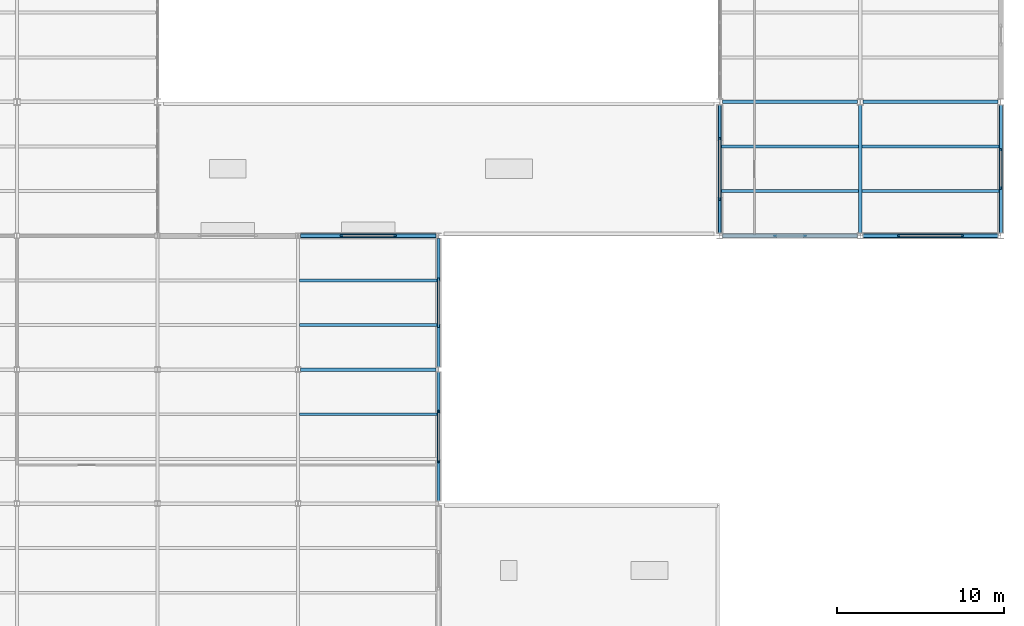
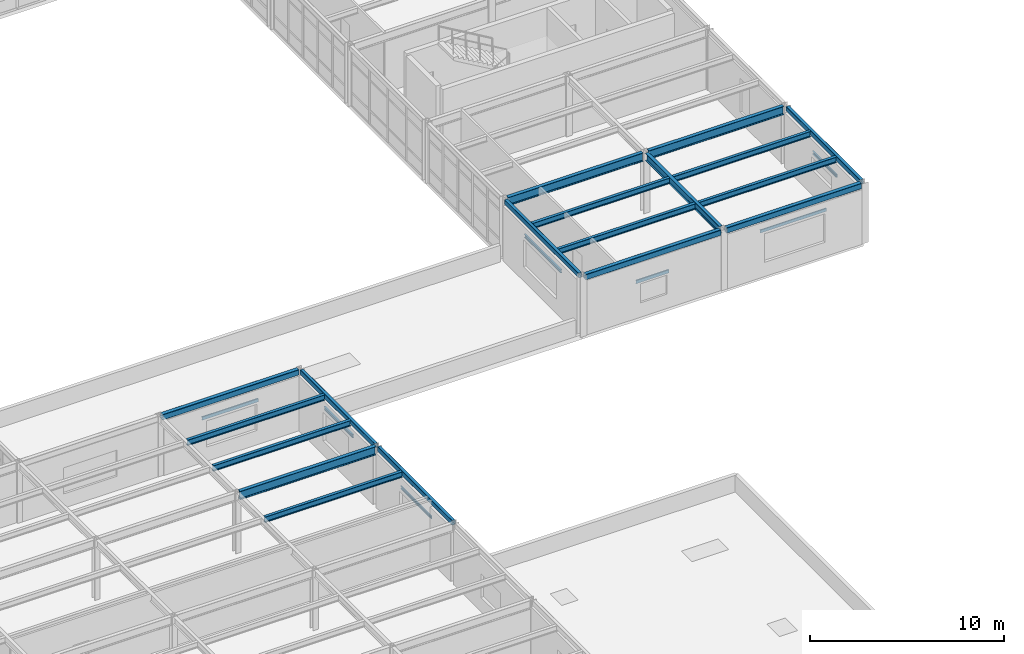
# One storey, part 51 of 138: 25 beams.
"""IFC4 building model written with IfcOpenShell, lengths in metres."""

from ifc_helpers import new_model, si_unit, direction, frame, origin, origin_2d, place, context, subcontext, project, spatial, hollow_rectangle, i_section, u_section, extrude, material, material_profile, profile_set, type_object, element, save


model = new_model("IFC4")

# Units and contexts
model_context = context("Model", 3, precision=1e-05, world=origin(), true_north=direction((0.0, 1.0)))
body_context = subcontext(model_context, "Body", "Model", "MODEL_VIEW")
ifc_project = project(units=[si_unit("LENGTHUNIT", "METRE"), si_unit("AREAUNIT", "SQUARE_METRE"), si_unit("VOLUMEUNIT", "CUBIC_METRE"), si_unit("PLANEANGLEUNIT", "RADIAN"), si_unit("MASSUNIT", "GRAM", prefix="KILO")], contexts=[model_context])

# Site, building, storey
site_placement = place(None, origin())
site = spatial("IfcSite", under=ifc_project, at=site_placement, CompositionType="ELEMENT")
building_placement = place(site_placement, origin())
building = spatial("IfcBuilding", under=site, at=building_placement, Name="Kranzveld Transit Interchange", CompositionType="ELEMENT")
storey_placement = place(building_placement, frame((0.0, 0.0, 5.43994140625)))
storey = spatial("IfcBuildingStorey", under=building, at=storey_placement, Name="L01", CompositionType="ELEMENT", Elevation=5.43994140625)

# Beams
ifc_material_1 = material(Name="Steel S355JR", Category="steel")
ifc_material_profile_1 = material_profile(ifc_material_1, i_section(OverallWidth=0.19189453125, OverallDepth=0.46337890625, WebThickness=0.010498046875, FlangeThickness=0.017578125, FilletRadius=0.01025390625, at=origin_2d()), Name="UB 457x191x89")
ifc_profile_set_1 = profile_set([ifc_material_profile_1], Name="Steel S355JR")
beam_type_1 = type_object("IfcBeamType", Name="Beam Steel UB 457x191x89 S355JR", PredefinedType="BEAM", material=ifc_profile_set_1)
beam_1_placement = place(storey_placement, frame((159.60009765625, 56.17724609375, 3.568359375), z_axis=(0.0, 1.0, 0.0), x_axis=(-1.0, 0.0, 0.0)))
element("IfcBeam", 1, at=beam_1_placement, inside=storey, type_object=beam_type_1, Name="L01 Girder 20/H-J", PredefinedType="BEAM", context=body_context, shape_type="SweptSolid", body=[
    extrude(i_section(OverallWidth=0.19189453125, OverallDepth=0.46337890625, WebThickness=0.010498046875, FlangeThickness=0.017578125, FilletRadius=0.01025390625, at=origin_2d()), origin(), (0.0, 0.0, 1.0), 7.6455078125),
])
ifc_material_2 = material(Name="Steel S355JR", Category="steel")
ifc_material_profile_2 = material_profile(ifc_material_2, hollow_rectangle(XDim=0.199951171875, YDim=0.300048828125, WallThickness=0.010009765625, InnerFilletRadius=0.014892578125, OuterFilletRadius=0.02490234375, at=origin_2d()), Name="RHS 300x200x10")
ifc_profile_set_2 = profile_set([ifc_material_profile_2], Name="Steel S355JR")
beam_type_2 = type_object("IfcBeamType", Name="Edge Spandrel RHS 300x200x10 S355JR", PredefinedType="SPANDREL", material=ifc_profile_set_2)
for number, where, z_axis, x_axis, name in (
    (2, (134.39990234375, 40.150146484375, 3.650146484375), (0.0, 1.0, 0.0), (-1.0, 0.0, 0.0), "L01 Girder 17/F-G"),
    (3, (134.39990234375, 48.150146484375, 3.650146484375), (0.0, 1.0, 0.0), (-1.0, 0.0, 0.0), "L01 Girder 17/G-H"),
):
    element("IfcBeam", number, at=place(storey_placement, frame(where, z_axis=z_axis, x_axis=x_axis)), inside=storey, type_object=beam_type_2, Name=name, PredefinedType="SPANDREL", context=body_context, shape_type="SweptSolid", body=[
        extrude(hollow_rectangle(XDim=0.199951171875, YDim=0.300048828125, WallThickness=0.010009765625, InnerFilletRadius=0.014892578125, OuterFilletRadius=0.02490234375, at=origin_2d()), origin(), (0.0, 0.0, 1.0), 7.69970703125),
    ])
for number, where, z_axis, x_axis, name in (
    (4, (151.199951171875, 56.17724609375, 3.650146484375), (0.0, 1.0, 0.0), (-1.0, 0.0, 0.0), "L01 Girder 19/H-J"),
    (5, (168.0, 56.17724609375, 3.650146484375), (0.0, 1.0, 0.0), (-1.0, 0.0, 0.0), "L01 Girder 21/H-J"),
):
    element("IfcBeam", number, at=place(storey_placement, frame(where, z_axis=z_axis, x_axis=x_axis)), inside=storey, type_object=beam_type_2, Name=name, PredefinedType="SPANDREL", context=body_context, shape_type="SweptSolid", body=[
        extrude(hollow_rectangle(XDim=0.199951171875, YDim=0.300048828125, WallThickness=0.010009765625, InnerFilletRadius=0.014892578125, OuterFilletRadius=0.02490234375, at=origin_2d()), origin(), (0.0, 0.0, 1.0), 7.6455078125),
    ])
ifc_material_3 = material(Name="Steel S355JR", Category="steel")
ifc_material_profile_3 = material_profile(ifc_material_3, hollow_rectangle(XDim=0.25, YDim=0.35009765625, WallThickness=0.012451171875, InnerFilletRadius=0.018798828125, OuterFilletRadius=0.03125, at=origin_2d()), Name="RHS 350x250x12.5")
ifc_profile_set_3 = profile_set([ifc_material_profile_3], Name="Steel S355JR")
beam_type_3 = type_object("IfcBeamType", Name="Edge Spandrel RHS 350x250x12.5 S355JR", PredefinedType="SPANDREL", material=ifc_profile_set_3)
beam_2_placement = place(storey_placement, frame((126.14453125, 56.0, 3.625), z_axis=(1.0, 0.0, 0.0), x_axis=(0.0, 1.0, 0.0)))
element("IfcBeam", 6, at=beam_2_placement, inside=storey, type_object=beam_type_3, Name="L01 Girder 16-17/H", PredefinedType="SPANDREL", context=body_context, shape_type="SweptSolid", body=[
    extrude(hollow_rectangle(XDim=0.25, YDim=0.35009765625, WallThickness=0.012451171875, InnerFilletRadius=0.018798828125, OuterFilletRadius=0.03125, at=origin_2d()), origin(), (0.0, 0.0, 1.0), 8.11083984375),
])
for number, where, z_axis, x_axis, name in (
    (7, (151.377197265625, 56.0, 3.625), (1.0, 0.0, 0.0), (0.0, 1.0, 0.0), "L01 Girder 19-20/H"),
    (8, (159.77734375, 56.0, 3.625), (1.0, 0.0, 0.0), (0.0, 1.0, 0.0), "L01 Girder 20-21/H"),
):
    element("IfcBeam", number, at=place(storey_placement, frame(where, z_axis=z_axis, x_axis=x_axis)), inside=storey, type_object=beam_type_3, Name=name, PredefinedType="SPANDREL", context=body_context, shape_type="SweptSolid", body=[
        extrude(hollow_rectangle(XDim=0.25, YDim=0.35009765625, WallThickness=0.012451171875, InnerFilletRadius=0.018798828125, OuterFilletRadius=0.03125, at=origin_2d()), origin(), (0.0, 0.0, 1.0), 8.04541015625),
    ])
ifc_material_4 = material(Name="Steel S355JR", Category="steel")
ifc_material_profile_4 = material_profile(ifc_material_4, i_section(OverallWidth=0.172119140625, OverallDepth=0.35791015625, WebThickness=0.008056640625, FlangeThickness=0.012939453125, FilletRadius=0.01025390625, at=origin_2d()), Name="UB 356x171x57")
ifc_profile_set_4 = profile_set([ifc_material_profile_4], Name="Steel S355JR")
beam_type_4 = type_object("IfcBeamType", Name="Floor Joist UB 356x171x57 S355JR", PredefinedType="JOIST", material=ifc_profile_set_4)
for number, where, z_axis, x_axis, name in (
    (9, (126.097900390625, 45.333251953125, 3.62109375), (1.0, 0.0, 0.0), (0.0, 1.0, 0.0), "L01 Secondary Joist 16-17/F.2"),
    (10, (126.097900390625, 50.666748046875, 3.62109375), (1.0, 0.0, 0.0), (0.0, 1.0, 0.0), "L01 Secondary Joist 16-17/G.1"),
    (11, (126.097900390625, 53.333251953125, 3.62109375), (1.0, 0.0, 0.0), (0.0, 1.0, 0.0), "L01 Secondary Joist 16-17/G.2"),
):
    element("IfcBeam", number, at=place(storey_placement, frame(where, z_axis=z_axis, x_axis=x_axis)), inside=storey, type_object=beam_type_4, Name=name, PredefinedType="JOIST", context=body_context, shape_type="SweptSolid", body=[
        extrude(i_section(OverallWidth=0.172119140625, OverallDepth=0.35791015625, WebThickness=0.008056640625, FlangeThickness=0.012939453125, FilletRadius=0.01025390625, at=origin_2d()), origin(), (0.0, 0.0, 1.0), 8.2001953125),
    ])
for number, where, z_axis, x_axis, name in (
    (12, (151.302001953125, 58.666748046875, 3.62109375), (1.0, 0.0, 0.0), (0.0, 1.0, 0.0), "L01 Secondary Joist 19-20/H.1"),
    (13, (151.302001953125, 61.333251953125, 3.62109375), (1.0, 0.0, 0.0), (0.0, 1.0, 0.0), "L01 Secondary Joist 19-20/H.2"),
    (14, (159.697998046875, 58.666748046875, 3.62109375), (1.0, 0.0, 0.0), (0.0, 1.0, 0.0), "L01 Secondary Joist 20-21/H.1"),
    (15, (159.697998046875, 61.333251953125, 3.62109375), (1.0, 0.0, 0.0), (0.0, 1.0, 0.0), "L01 Secondary Joist 20-21/H.2"),
):
    element("IfcBeam", number, at=place(storey_placement, frame(where, z_axis=z_axis, x_axis=x_axis)), inside=storey, type_object=beam_type_4, Name=name, PredefinedType="JOIST", context=body_context, shape_type="SweptSolid", body=[
        extrude(i_section(OverallWidth=0.172119140625, OverallDepth=0.35791015625, WebThickness=0.008056640625, FlangeThickness=0.012939453125, FilletRadius=0.01025390625, at=origin_2d()), origin(), (0.0, 0.0, 1.0), 8.199951171875),
    ])
ifc_material_5 = material(Name="Steel S355JR", Category="steel")
ifc_material_profile_5 = material_profile(ifc_material_5, i_section(OverallWidth=0.210693359375, OverallDepth=0.53955078125, WebThickness=0.01171875, FlangeThickness=0.018798828125, FilletRadius=0.0126953125, at=origin_2d()), Name="UB 533x210x109")
ifc_profile_set_5 = profile_set([ifc_material_profile_5], Name="Steel S355JR")
beam_type_5 = type_object("IfcBeamType", Name="Girder Steel UB 533x210x109 S355JR", PredefinedType="BEAM", material=ifc_profile_set_5)
beam_3_placement = place(storey_placement, frame((126.14453125, 48.0, 3.5302734375), z_axis=(1.0, 0.0, 0.0), x_axis=(0.0, 1.0, 0.0)))
element("IfcBeam", 16, at=beam_3_placement, inside=storey, type_object=beam_type_5, Name="L01 Girder 16-17/G", PredefinedType="BEAM", context=body_context, shape_type="SweptSolid", body=[
    extrude(i_section(OverallWidth=0.210693359375, OverallDepth=0.53955078125, WebThickness=0.01171875, FlangeThickness=0.018798828125, FilletRadius=0.0126953125, at=origin_2d()), origin(), (0.0, 0.0, 1.0), 8.11083984375),
])
for number, where, z_axis, x_axis, name in (
    (17, (151.377197265625, 64.0, 3.5302734375), (1.0, 0.0, 0.0), (0.0, 1.0, 0.0), "L01 Girder 19-20/J"),
    (18, (159.77734375, 64.0, 3.5302734375), (1.0, 0.0, 0.0), (0.0, 1.0, 0.0), "L01 Girder 20-21/J"),
):
    element("IfcBeam", number, at=place(storey_placement, frame(where, z_axis=z_axis, x_axis=x_axis)), inside=storey, type_object=beam_type_5, Name=name, PredefinedType="BEAM", context=body_context, shape_type="SweptSolid", body=[
        extrude(i_section(OverallWidth=0.210693359375, OverallDepth=0.53955078125, WebThickness=0.01171875, FlangeThickness=0.018798828125, FilletRadius=0.0126953125, at=origin_2d()), origin(), (0.0, 0.0, 1.0), 8.04541015625),
    ])
ifc_material_6 = material(Name="Steel S355JR", Category="steel")
ifc_material_profile_6 = material_profile(ifc_material_6, u_section(Depth=0.179931640625, FlangeWidth=0.070068359375, WebThickness=0.007080078125, FlangeThickness=0.010986328125, FilletRadius=0.010009765625, at=origin_2d()), Name="PFC 180x70x22")
ifc_profile_set_6 = profile_set([ifc_material_profile_6], Name="Steel S355JR")
beam_type_6 = type_object("IfcBeamType", Name="Masonry Lintel PFC 180x70x22 S355JR", PredefinedType="LINTEL", material=ifc_profile_set_6)
beam_4_placement = place(storey_placement, frame((161.820068359375, 56.0, 2.795166015625), z_axis=(1.0, 0.0, 0.0), x_axis=(0.0, 1.0, 0.0)))
element("IfcBeam", 19, at=beam_4_placement, inside=storey, type_object=beam_type_6, Name="L01 Window Lintel 101", PredefinedType="LINTEL", context=body_context, shape_type="SweptSolid", body=[
    extrude(u_section(Depth=0.179931640625, FlangeWidth=0.070068359375, WebThickness=0.007080078125, FlangeThickness=0.010986328125, FilletRadius=0.010009765625, at=origin_2d()), origin(), (0.0, 0.0, 1.0), 3.9599609375),
])
beam_5_placement = place(storey_placement, frame((134.39990234375, 42.419921875, 2.594970703125), z_axis=(0.0, 1.0, 0.0), x_axis=(-1.0, 0.0, 0.0)))
element("IfcBeam", 20, at=beam_5_placement, inside=storey, type_object=beam_type_6, Name="L01 Window Lintel 105", PredefinedType="LINTEL", context=body_context, shape_type="SweptSolid", body=[
    extrude(u_section(Depth=0.179931640625, FlangeWidth=0.070068359375, WebThickness=0.007080078125, FlangeThickness=0.010986328125, FilletRadius=0.010009765625, at=origin_2d()), origin(), (0.0, 0.0, 1.0), 3.16015625),
])
ifc_material_7 = material(Name="Steel S355JR", Category="steel")
ifc_material_profile_7 = material_profile(ifc_material_7, u_section(Depth=0.199951171875, FlangeWidth=0.074951171875, WebThickness=0.006103515625, FlangeThickness=0.012451171875, FilletRadius=0.011962890625, at=origin_2d()), Name="PFC 200x75x23")
ifc_profile_set_7 = profile_set([ifc_material_profile_7], Name="Steel S355JR")
beam_type_7 = type_object("IfcBeamType", Name="Masonry Lintel PFC 200x75x23 S355JR", PredefinedType="LINTEL", material=ifc_profile_set_7)
beam_6_placement = place(storey_placement, frame((168.0, 58.77001953125, 2.455078125), z_axis=(0.0, 1.0, 0.0), x_axis=(-1.0, 0.0, 0.0)))
element("IfcBeam", 21, at=beam_6_placement, inside=storey, type_object=beam_type_7, Name="L01 Window Lintel 096", PredefinedType="LINTEL", context=body_context, shape_type="SweptSolid", body=[
    extrude(u_section(Depth=0.199951171875, FlangeWidth=0.074951171875, WebThickness=0.006103515625, FlangeThickness=0.012451171875, FilletRadius=0.011962890625, at=origin_2d()), origin(), (0.0, 0.0, 1.0), 2.4599609375),
])
beam_7_placement = place(storey_placement, frame((154.419921875, 56.0, 2.205078125), z_axis=(1.0, 0.0, 0.0), x_axis=(0.0, 1.0, 0.0)))
element("IfcBeam", 22, at=beam_7_placement, inside=storey, type_object=beam_type_7, Name="L01 Window Lintel 100", PredefinedType="LINTEL", context=body_context, shape_type="SweptSolid", body=[
    extrude(u_section(Depth=0.199951171875, FlangeWidth=0.074951171875, WebThickness=0.006103515625, FlangeThickness=0.012451171875, FilletRadius=0.011962890625, at=origin_2d()), origin(), (0.0, 0.0, 1.0), 1.9599609375),
])
beam_8_placement = place(storey_placement, frame((128.52001953125, 56.0, 2.655029296875), z_axis=(1.0, 0.0, 0.0), x_axis=(0.0, 1.0, 0.0)))
element("IfcBeam", 23, at=beam_8_placement, inside=storey, type_object=beam_type_7, Name="L01 Window Lintel 104", PredefinedType="LINTEL", context=body_context, shape_type="SweptSolid", body=[
    extrude(u_section(Depth=0.199951171875, FlangeWidth=0.074951171875, WebThickness=0.006103515625, FlangeThickness=0.012451171875, FilletRadius=0.011962890625, at=origin_2d()), origin(), (0.0, 0.0, 1.0), 3.35986328125),
])
ifc_material_8 = material(Name="Steel S355JR", Category="steel")
ifc_material_profile_8 = material_profile(ifc_material_8, i_section(OverallWidth=0.10009765625, OverallDepth=0.199951171875, WebThickness=0.005615234375, FlangeThickness=0.008544921875, FilletRadius=0.011962890625, at=origin_2d()), Name="IPE 200")
ifc_profile_set_8 = profile_set([ifc_material_profile_8], Name="Steel S355JR")
beam_type_8 = type_object("IfcBeamType", Name="Opening Lintel IPE 200 S355JR", PredefinedType="LINTEL", material=ifc_profile_set_8)
beam_9_placement = place(storey_placement, frame((151.199951171875, 58.1201171875, 2.705078125), z_axis=(0.0, 1.0, 0.0), x_axis=(-1.0, 0.0, 0.0)))
element("IfcBeam", 24, at=beam_9_placement, inside=storey, type_object=beam_type_8, Name="L01 Window Lintel 102", PredefinedType="LINTEL", context=body_context, shape_type="SweptSolid", body=[
    extrude(i_section(OverallWidth=0.10009765625, OverallDepth=0.199951171875, WebThickness=0.005615234375, FlangeThickness=0.008544921875, FilletRadius=0.011962890625, at=origin_2d()), origin(), (0.0, 0.0, 1.0), 3.759765625),
])
beam_10_placement = place(storey_placement, frame((134.39990234375, 50.52001953125, 2.80517578125), z_axis=(0.0, 1.0, 0.0), x_axis=(-1.0, 0.0, 0.0)))
element("IfcBeam", 25, at=beam_10_placement, inside=storey, type_object=beam_type_8, Name="L01 Window Lintel 106", PredefinedType="LINTEL", context=body_context, shape_type="SweptSolid", body=[
    extrude(i_section(OverallWidth=0.10009765625, OverallDepth=0.199951171875, WebThickness=0.005615234375, FlangeThickness=0.008544921875, FilletRadius=0.011962890625, at=origin_2d()), origin(), (0.0, 0.0, 1.0), 2.9599609375),
])

save(model, "model.ifc")
